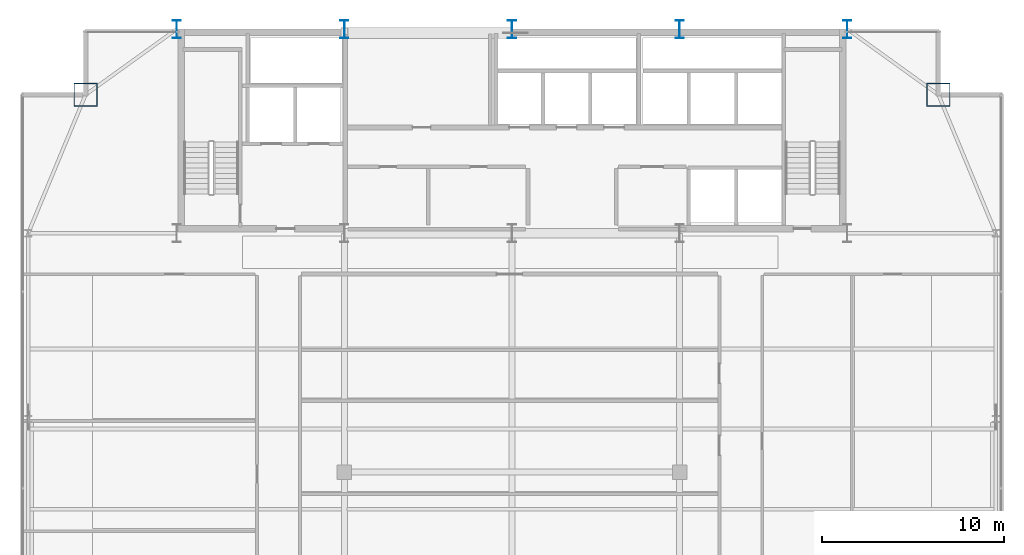
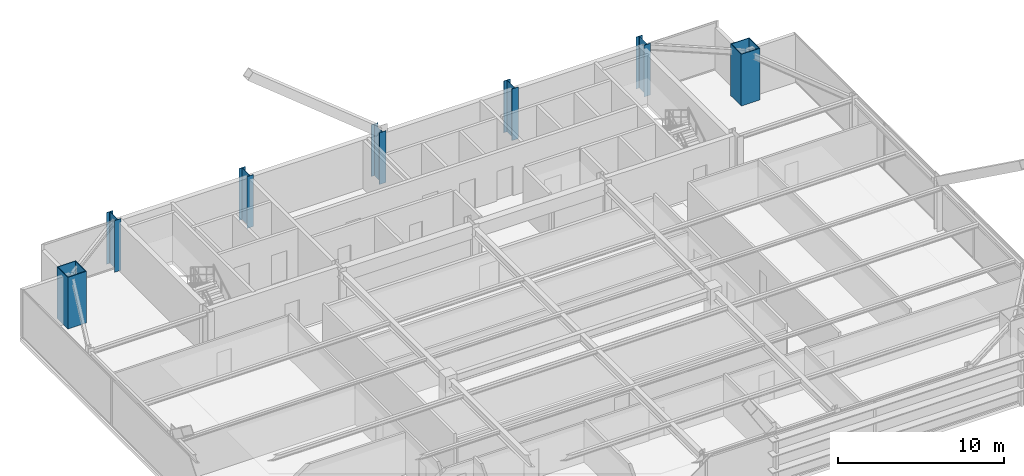
# One storey, part 3 of 30: 7 columns.
"""IFC4 building model written with IfcOpenShell, lengths in metres."""

from ifc_helpers import new_model, si_unit, direction, frame, origin, origin_2d, place, context, subcontext, project, spatial, hollow_rectangle, i_section, extrude, source, transform, mapped, material, material_profile, profile_set, type_object, type_shapes, element, save


model = new_model("IFC4")

# Units and contexts
model_context = context("Model", 3, precision=1e-05, world=origin(), true_north=direction((0.0, 1.0)))
body_context = subcontext(model_context, "Body", "Model", "MODEL_VIEW")
ifc_project = project(units=[si_unit("LENGTHUNIT", "METRE"), si_unit("AREAUNIT", "SQUARE_METRE"), si_unit("VOLUMEUNIT", "CUBIC_METRE"), si_unit("PLANEANGLEUNIT", "RADIAN"), si_unit("MASSUNIT", "GRAM", prefix="KILO")], contexts=[model_context])

# Site, building, storey
site_placement = place(None, origin())
site = spatial("IfcSite", under=ifc_project, at=site_placement, CompositionType="ELEMENT")
building_placement = place(site_placement, origin())
building = spatial("IfcBuilding", under=site, at=building_placement, Name="Varnel Quay Broadcast Tower", CompositionType="ELEMENT")
storey_placement = place(building_placement, frame((0.0, 0.0, 180.0)))
storey = spatial("IfcBuildingStorey", under=building, at=storey_placement, Name="L44", CompositionType="ELEMENT", Elevation=180.0)

# Columns
ifc_material = material(Name="Structural Steel CSA G40.21 350WT", Category="steel")
ifc_material_profile_1 = material_profile(ifc_material, i_section(OverallWidth=0.449951171875, OverallDepth=1.0, WebThickness=0.01611328125, FlangeThickness=0.030029296875, FilletRadius=0.01611328125, at=origin_2d()), Name="WWF1000X362")
ifc_profile_set_1 = profile_set([ifc_material_profile_1], Name="Structural Steel CSA G40.21 350WT")
column_type_1 = type_object("IfcColumnType", Name="Col_WWF1000X362", PredefinedType="COLUMN", material=ifc_profile_set_1)
shared_shape_1 = source(origin(), body_context, "Body", "SweptSolid", [
    extrude(i_section(OverallWidth=0.449951171875, OverallDepth=1.0, WebThickness=0.01611328125, FlangeThickness=0.030029296875, FilletRadius=0.01611328125, at=origin_2d()), origin(), (0.0, 0.0, 1.0), 3.800048828125),
])
type_shapes(column_type_1, [shared_shape_1])
for number, where, z_axis, x_axis, name in (
    (1, (15.60009765625, 46.800048828125, 0.0), (0.0, 0.0, 1.0), (1.0, 0.0, 0.0), "L44 Column CC-N1"),
    (2, (24.800048828125, 46.800048828125, 0.0), (0.0, 0.0, 1.0), (1.0, 0.0, 0.0), "L44 Column CC-N2"),
    (3, (34.0, 46.800048828125, 0.0), (0.0, 0.0, 1.0), (1.0, 0.0, 0.0), "L44 Column CC-N3"),
    (4, (43.199951171875, 46.800048828125, 0.0), (0.0, 0.0, 1.0), (1.0, 0.0, 0.0), "L44 Column CC-N4"),
    (5, (52.39990234375, 46.800048828125, 0.0), (0.0, 0.0, 1.0), (1.0, 0.0, 0.0), "L44 Column CC-N5"),
):
    element("IfcColumn", number, at=place(storey_placement, frame(where, z_axis=z_axis, x_axis=x_axis)), inside=storey, type_object=column_type_1, Name=name, PredefinedType="COLUMN", context=body_context, shape_type="MappedRepresentation", body=[
        mapped(shared_shape_1, transform((0.0, 0.0, 0.0), x_axis=(1.0, 0.0, 0.0), y_axis=(0.0, 1.0, 0.0), z_axis=(0.0, 0.0, 1.0), scale=1.0)),
    ])
ifc_material_profile_2 = material_profile(ifc_material, hollow_rectangle(XDim=1.300048828125, YDim=1.300048828125, WallThickness=0.050048828125, at=origin_2d()), Name="BOX1300X1300X50")
ifc_profile_set_2 = profile_set([ifc_material_profile_2], Name="Structural Steel CSA G40.21 350WT")
column_type_2 = type_object("IfcColumnType", Name="Col_BOX1300X1300X50", PredefinedType="COLUMN", material=ifc_profile_set_2)
shared_shape_2 = source(origin(), body_context, "Body", "SweptSolid", [
    extrude(hollow_rectangle(XDim=1.300048828125, YDim=1.300048828125, WallThickness=0.050048828125, at=origin_2d()), origin(), (0.0, 0.0, 1.0), 3.800048828125),
])
type_shapes(column_type_2, [shared_shape_2])
for number, where, z_axis, x_axis, name in (
    (6, (57.39990234375, 43.199951171875, 0.0), (0.0, 0.0, 1.0), (1.0, 0.0, 0.0), "L44 Column MC-NE"),
    (7, (10.60009765625, 43.199951171875, 0.0), (0.0, 0.0, 1.0), (1.0, 0.0, 0.0), "L44 Column MC-NW"),
):
    element("IfcColumn", number, at=place(storey_placement, frame(where, z_axis=z_axis, x_axis=x_axis)), inside=storey, type_object=column_type_2, Name=name, PredefinedType="COLUMN", context=body_context, shape_type="MappedRepresentation", body=[
        mapped(shared_shape_2, transform((0.0, 0.0, 0.0), x_axis=(1.0, 0.0, 0.0), y_axis=(0.0, 1.0, 0.0), z_axis=(0.0, 0.0, 1.0), scale=1.0)),
    ])

save(model, "model.ifc")
